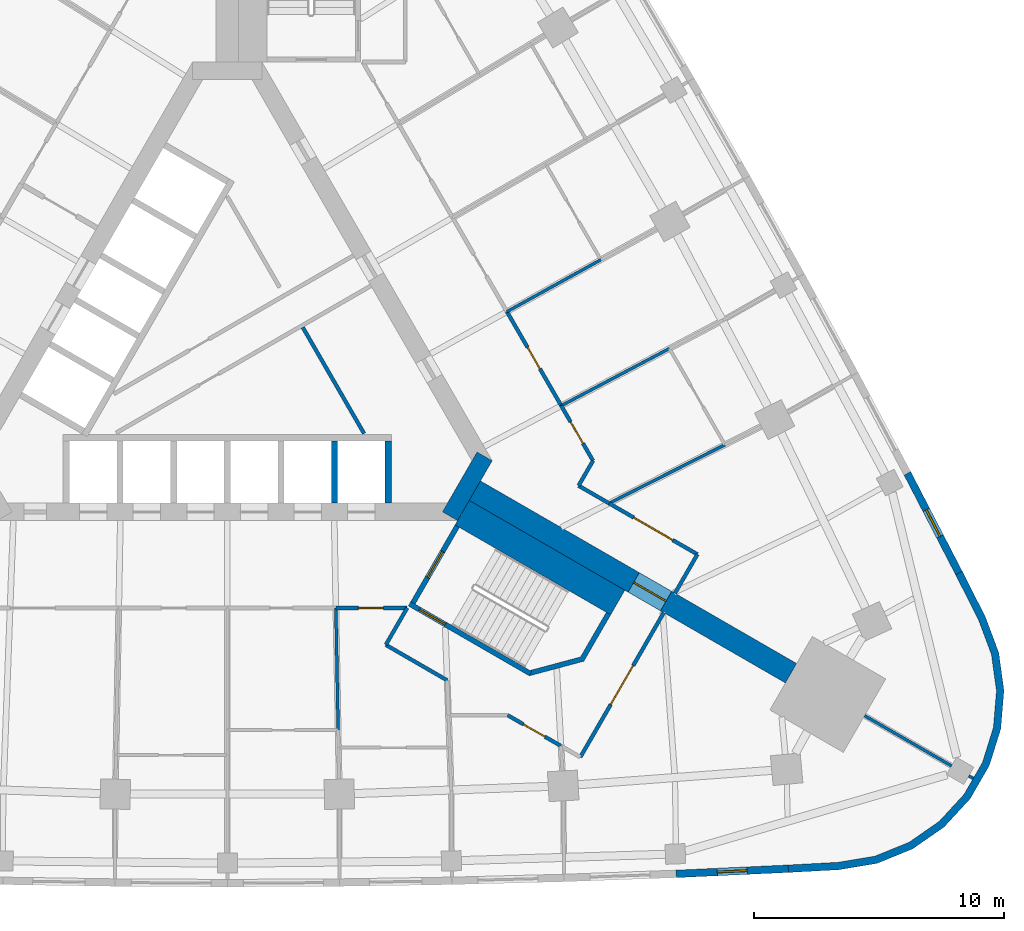
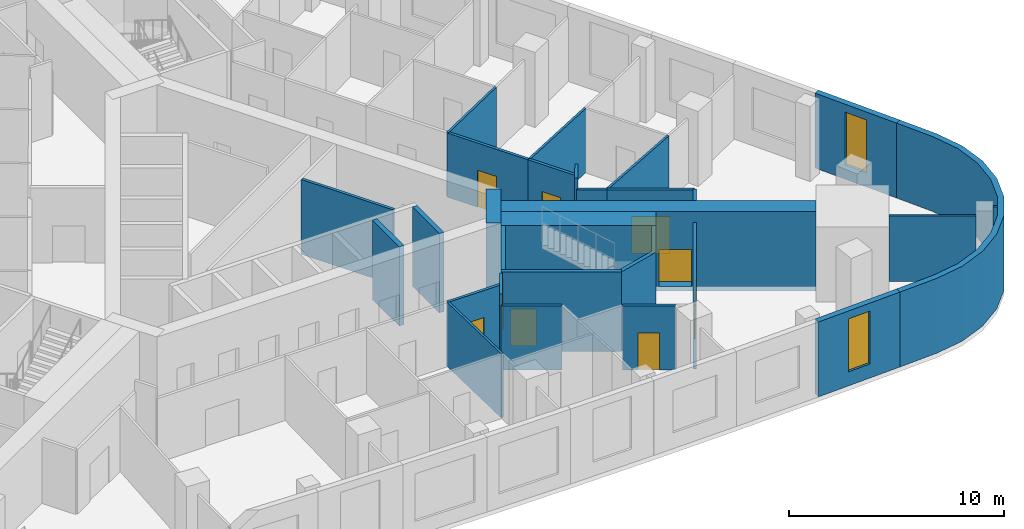
# One storey, part 7 of 11: 29 walls, 9 doors, 2 windows, 11 openings.
"""IFC4 building model written with IfcOpenShell, lengths in metres."""

from ifc_helpers import new_model, si_unit, direction, frame, frame_2d, origin, place, context, subcontext, project, spatial, polyline, rectangle, outline, extrude, material, layer, layer_set, type_object, element, fill, save


model = new_model("IFC4")

# Units and contexts
model_context = context("Model", 3, precision=1e-05, world=origin(), true_north=direction((0.0, 1.0)))
body_context = subcontext(model_context, "Body", "Model", "MODEL_VIEW")
ifc_project = project(units=[si_unit("LENGTHUNIT", "METRE"), si_unit("AREAUNIT", "SQUARE_METRE"), si_unit("VOLUMEUNIT", "CUBIC_METRE"), si_unit("PLANEANGLEUNIT", "RADIAN"), si_unit("MASSUNIT", "GRAM", prefix="KILO")], contexts=[model_context])

# Site, building, storey
site_placement = place(None, origin())
site = spatial("IfcSite", under=ifc_project, at=site_placement, CompositionType="ELEMENT")
building_placement = place(site_placement, origin())
building = spatial("IfcBuilding", under=site, at=building_placement, Name="Noor Cloister Tower", CompositionType="ELEMENT")
storey_placement = place(building_placement, frame((0.0, 0.0, 10.5)))
storey = spatial("IfcBuildingStorey", under=building, at=storey_placement, Name="L02", CompositionType="ELEMENT", Elevation=10.5)

# Wall, opening, door
ifc_material_1 = material(Name="Concrete C80/95", Category="concrete")
ifc_layer_1 = layer(ifc_material_1, 0.89990234375)
ifc_layer_set_1 = layer_set([ifc_layer_1], Name="Buttress wall 900 C80/95")
wall_type_1 = type_object("IfcWallType", Name="Buttress wall 900 C80/95", PredefinedType="SHEAR", material=ifc_layer_set_1)
wall_1_placement = place(storey_placement, frame((9.921630859375, -5.728271484375, -0.25), z_axis=(0.0, 0.0, 1.0), x_axis=(0.866028046028, -0.499995423472, 0.0)))
wall_1 = element("IfcWall", 1, at=wall_1_placement, inside=storey, type_object=wall_type_1, Name="Buttress wall SE L02", PredefinedType="SHEAR", context=body_context, shape_type="SweptSolid", body=[
    extrude(rectangle(XDim=14.632568359375, YDim=0.89990234375, at=frame_2d((7.31640625, 0.0))), origin(), (0.0, 0.0, 1.0), 4.5),
])
opening_1_placement = place(wall_1_placement, frame((7.35009765625, 0.0, 0.25)))
opening_1 = element("IfcOpeningElement", 2, at=opening_1_placement, cuts=wall_1, Name="Opening L02-037", PredefinedType="OPENING", context=body_context, shape_type="SweptSolid", body=[
    extrude(rectangle(XDim=1.5, YDim=2.10009765625, at=frame_2d((0.75, 1.050048828125))), frame((0.0, 0.4599609375, 0.0), z_axis=(0.0, -1.0, 0.0), x_axis=(1.0, 0.0, 0.0)), (0.0, 0.0, 1.0), 0.919921875),
])
ifc_material_2 = material(Name="Steel fire door", Category="steel")
door_type_1 = type_object("IfcDoorType", Name="Smoke barrier door FD60 1500", OperationType="DOUBLE_DOOR_SINGLE_SWING", PredefinedType="DOOR", material=ifc_material_2)
door_1_placement = place(opening_1_placement, origin())
door_1 = element("IfcDoor", 3, at=door_1_placement, inside=storey, type_object=door_type_1, Name="Door L02-037", OperationType="DOUBLE_DOOR_SINGLE_SWING", OverallHeight=2.10009765625, OverallWidth=1.5, PredefinedType="DOOR", context=body_context, shape_type="SweptSolid", body=[
    extrude(rectangle(XDim=1.5, YDim=2.10009765625, at=frame_2d((0.75, 1.050048828125))), frame((0.0, 0.02490234375, 0.0), z_axis=(0.0, -1.0, 0.0), x_axis=(1.0, 0.0, 0.0)), (0.0, 0.0, 1.0), 0.050048828125),
])
fill(opening_1, door_1)

# Walls
ifc_material_3 = material(Name="Concrete C30/37", Category="concrete")
ifc_layer_2 = layer(ifc_material_3, 0.14990234375)
ifc_layer_set_2 = layer_set([ifc_layer_2], Name="Core partition 150 C30/37")
wall_type_2 = type_object("IfcWallType", Name="Core partition 150 C30/37", PredefinedType="PARTITIONING", material=ifc_layer_set_2)
wall_2_placement = place(storey_placement, frame((5.482421875, -3.439208984375, 0.0), z_axis=(0.0, 0.0, 1.0), x_axis=(-0.500006183238, 0.866021833861, 0.0)))
element("IfcWall", 4, at=wall_2_placement, inside=storey, type_object=wall_type_2, Name="Core room partition L02 4", PredefinedType="PARTITIONING", context=body_context, shape_type="SweptSolid", body=[
    extrude(rectangle(XDim=4.916015625, YDim=0.14990234375, at=frame_2d((2.4580078125, 0.0))), origin(), (0.0, 0.0, 1.0), 4.25),
])
ifc_material_4 = material(Name="Concrete C80/95", Category="concrete")
ifc_layer_3 = layer(ifc_material_4, 0.699951171875)
ifc_layer_set_3 = layer_set([ifc_layer_3], Name="Core wall 700 C80/95")
wall_type_3 = type_object("IfcWallType", Name="Core wall 700 C80/95", PredefinedType="SHEAR", material=ifc_layer_set_3)
wall_3_placement = place(storey_placement, frame((8.925537109375, -6.753173828125, -0.25), z_axis=(0.0, 0.0, 1.0), x_axis=(0.500042739161, 0.866000726912, 0.0)))
element("IfcWall", 5, at=wall_3_placement, inside=storey, type_object=wall_type_3, Name="Core wall L02 2", PredefinedType="SHEAR", context=body_context, shape_type="SweptSolid", body=[
    extrude(rectangle(XDim=2.771240234375, YDim=0.699951171875, at=frame_2d((1.3857421875, 0.0))), origin(), (0.0, 0.0, 1.0), 4.5),
])

# Wall, opening, door
ifc_material_5 = material(Name="Plasterboard on steel studs", Category="steel")
ifc_layer_4 = layer(ifc_material_5, 0.14990234375)
ifc_layer_set_4 = layer_set([ifc_layer_4], Name="Corridor wall 150")
wall_type_4 = type_object("IfcWallType", Name="Corridor wall 150", PredefinedType="PARTITIONING", material=ifc_layer_set_4)
wall_4_placement = place(storey_placement, frame((13.376953125, -15.9619140625, 0.0), z_axis=(0.0, 0.0, 1.0), x_axis=(-0.866302389159, 0.499519940081, 0.0)))
wall_4 = element("IfcWall", 6, at=wall_4_placement, inside=storey, type_object=wall_type_4, Name="Partition", PredefinedType="PARTITIONING", context=body_context, shape_type="SweptSolid", body=[
    extrude(rectangle(XDim=2.47021484375, YDim=0.14990234375, at=frame_2d((1.235107421875, 0.0))), origin(), (0.0, 0.0, 1.0), 3.637939453125),
])
opening_2_placement = place(wall_4_placement, frame((0.75, 0.0, 0.0)))
opening_2 = element("IfcOpeningElement", 7, at=opening_2_placement, cuts=wall_4, Name="Opening L02-003", PredefinedType="OPENING", context=body_context, shape_type="SweptSolid", body=[
    extrude(rectangle(XDim=1.0, YDim=2.10009765625, at=frame_2d((0.5, 1.050048828125))), frame((0.0, 0.0849609375, 0.0), z_axis=(0.0, -1.0, 0.0), x_axis=(1.0, 0.0, 0.0)), (0.0, 0.0, 1.0), 0.169921875),
])
ifc_material_6 = material(Name="Timber door leaf", Category="wood")
door_type_2 = type_object("IfcDoorType", Name="Clinic room door 1000", OperationType="SINGLE_SWING_LEFT", PredefinedType="DOOR", material=ifc_material_6)
door_2_placement = place(opening_2_placement, origin())
door_2 = element("IfcDoor", 8, at=door_2_placement, inside=storey, type_object=door_type_2, Name="Door L02-003", OperationType="SINGLE_SWING_RIGHT", OverallHeight=2.10009765625, OverallWidth=1.0, PredefinedType="DOOR", context=body_context, shape_type="SweptSolid", body=[
    extrude(rectangle(XDim=1.0, YDim=2.10009765625, at=frame_2d((0.5, 1.050048828125))), frame((0.0, 0.02490234375, 0.0), z_axis=(0.0, -1.0, 0.0), x_axis=(1.0, 0.0, 0.0)), (0.0, 0.0, 1.0), 0.050048828125),
])
fill(opening_2, door_2)

wall_5_placement = place(storey_placement, frame((11.205078125, 1.449951171875, 0.0), z_axis=(0.0, 0.0, 1.0), x_axis=(0.500058412813, -0.865991676505, 0.0)))
wall_5 = element("IfcWall", 9, at=wall_5_placement, inside=storey, type_object=wall_type_4, Name="Partition", PredefinedType="PARTITIONING", context=body_context, shape_type="SweptSolid", body=[
    extrude(rectangle(XDim=4.361328125, YDim=0.14990234375, at=frame_2d((2.1806640625, 0.0))), origin(), (0.0, 0.0, 1.0), 3.637939453125),
])
opening_3_placement = place(wall_5_placement, frame((1.64990234375, 0.0, 0.0)))
opening_3 = element("IfcOpeningElement", 10, at=opening_3_placement, cuts=wall_5, Name="Opening L02-016", PredefinedType="OPENING", context=body_context, shape_type="SweptSolid", body=[
    extrude(rectangle(XDim=1.0, YDim=2.10009765625, at=frame_2d((0.5, 1.050048828125))), frame((0.0, 0.0849609375, 0.0), z_axis=(0.0, -1.0, 0.0), x_axis=(1.0, 0.0, 0.0)), (0.0, 0.0, 1.0), 0.169921875),
])
door_3_placement = place(opening_3_placement, origin())
door_3 = element("IfcDoor", 11, at=door_3_placement, inside=storey, type_object=door_type_2, Name="Door L02-016", OperationType="SINGLE_SWING_LEFT", OverallHeight=2.10009765625, OverallWidth=1.0, PredefinedType="DOOR", context=body_context, shape_type="SweptSolid", body=[
    extrude(rectangle(XDim=1.0, YDim=2.10009765625, at=frame_2d((0.5, 1.050048828125))), frame((0.0, 0.02490234375, 0.0), z_axis=(0.0, -1.0, 0.0), x_axis=(1.0, 0.0, 0.0)), (0.0, 0.0, 1.0), 0.050048828125),
])
fill(opening_3, door_3)

ifc_material_7 = material(Name="Plasterboard on steel studs", Category="steel")
ifc_layer_5 = layer(ifc_material_7, 0.14990234375)
ifc_layer_set_5 = layer_set([ifc_layer_5], Name="Corridor wall 150 EI 60")
wall_type_5 = type_object("IfcWallType", Name="Corridor wall 150 EI 60", PredefinedType="PARTITIONING", material=ifc_layer_set_5)
wall_6_placement = place(storey_placement, frame((17.490966796875, -10.617919921875, 0.0), z_axis=(0.0, 0.0, 1.0), x_axis=(-0.499969057507, -0.866043267704, 0.0)))
wall_6 = element("IfcWall", 12, at=wall_6_placement, inside=storey, type_object=wall_type_5, Name="Partition", PredefinedType="PARTITIONING", context=body_context, shape_type="SweptSolid", body=[
    extrude(rectangle(XDim=6.6845703125, YDim=0.14990234375, at=frame_2d((3.34228515625, 0.0))), origin(), (0.0, 0.0, 1.0), 3.637939453125),
])
opening_4_placement = place(wall_6_placement, frame((2.449951171875, 0.0, 0.0)))
opening_4 = element("IfcOpeningElement", 13, at=opening_4_placement, cuts=wall_6, Name="Opening L02-006", PredefinedType="OPENING", context=body_context, shape_type="SweptSolid", body=[
    extrude(rectangle(XDim=1.800048828125, YDim=2.10009765625, at=frame_2d((0.89990234375, 1.050048828125))), frame((0.0, 0.0849609375, 0.0), z_axis=(0.0, -1.0, 0.0), x_axis=(1.0, 0.0, 0.0)), (0.0, 0.0, 1.0), 0.169921875),
])
ifc_material_8 = material(Name="Timber door leaf", Category="wood")
door_type_3 = type_object("IfcDoorType", Name="Double leaf door 1800 FD60", OperationType="DOUBLE_DOOR_SINGLE_SWING", PredefinedType="DOOR", material=ifc_material_8)
door_4_placement = place(opening_4_placement, origin())
door_4 = element("IfcDoor", 14, at=door_4_placement, inside=storey, type_object=door_type_3, Name="Door L02-006", OperationType="DOUBLE_DOOR_SINGLE_SWING", OverallHeight=2.10009765625, OverallWidth=1.800048828125, PredefinedType="DOOR", context=body_context, shape_type="SweptSolid", body=[
    extrude(rectangle(XDim=1.800048828125, YDim=2.10009765625, at=frame_2d((0.89990234375, 1.050048828125))), frame((0.0, 0.02490234375, 0.0), z_axis=(0.0, -1.0, 0.0), x_axis=(1.0, 0.0, 0.0)), (0.0, 0.0, 1.0), 0.050048828125),
])
fill(opening_4, door_4)

# Walls
wall_7_placement = place(storey_placement, frame((8.81298828125, -13.3291015625, 0.0), z_axis=(0.0, 0.0, 1.0), x_axis=(-0.865804661524, 0.50038214205, 0.0)))
element("IfcWall", 15, at=wall_7_placement, inside=storey, type_object=wall_type_5, Name="Partition", PredefinedType="PARTITIONING", context=body_context, shape_type="SweptSolid", body=[
    extrude(rectangle(XDim=2.840087890625, YDim=0.14990234375, at=frame_2d((1.419921875, 0.0))), origin(), (0.0, 0.0, 1.0), 3.637939453125),
])
wall_8_placement = place(storey_placement, frame((6.35400390625, -11.906005859375, 0.0), z_axis=(0.0, 0.0, 1.0), x_axis=(0.500291894738, 0.865856812677, 0.0)))
element("IfcWall", 16, at=wall_8_placement, inside=storey, type_object=wall_type_5, Name="Partition", PredefinedType="PARTITIONING", context=body_context, shape_type="SweptSolid", body=[
    extrude(rectangle(XDim=1.70703125, YDim=0.14990234375, at=frame_2d((0.853515625, 0.0))), origin(), (0.0, 0.0, 1.0), 4.25),
])

# Wall, opening, door
wall_9_placement = place(storey_placement, frame((7.2080078125, -10.427978515625, 0.0), z_axis=(0.0, 0.0, 1.0), x_axis=(-1.0, 0.0, 0.0)))
wall_9 = element("IfcWall", 17, at=wall_9_placement, inside=storey, type_object=wall_type_5, Name="Partition", PredefinedType="PARTITIONING", context=body_context, shape_type="SweptSolid", body=[
    extrude(rectangle(XDim=2.861083984375, YDim=0.14990234375, at=frame_2d((1.4306640625, 0.0))), origin(), (0.0, 0.0, 1.0), 3.637939453125),
])
opening_5_placement = place(wall_9_placement, frame((0.949951171875, 0.0, 0.0)))
opening_5 = element("IfcOpeningElement", 18, at=opening_5_placement, cuts=wall_9, Name="Opening L02-010", PredefinedType="OPENING", context=body_context, shape_type="SweptSolid", body=[
    extrude(rectangle(XDim=1.0, YDim=2.10009765625, at=frame_2d((0.5, 1.050048828125))), frame((0.0, 0.0849609375, 0.0), z_axis=(0.0, -1.0, 0.0), x_axis=(1.0, 0.0, 0.0)), (0.0, 0.0, 1.0), 0.169921875),
])
ifc_material_9 = material(Name="Timber door leaf", Category="wood")
door_type_4 = type_object("IfcDoorType", Name="Clinic room door 1000 FD60", OperationType="SINGLE_SWING_LEFT", PredefinedType="DOOR", material=ifc_material_9)
door_5_placement = place(opening_5_placement, origin())
door_5 = element("IfcDoor", 19, at=door_5_placement, inside=storey, type_object=door_type_4, Name="Door L02-010", OperationType="SINGLE_SWING_RIGHT", OverallHeight=2.10009765625, OverallWidth=1.0, PredefinedType="DOOR", context=body_context, shape_type="SweptSolid", body=[
    extrude(rectangle(XDim=1.0, YDim=2.10009765625, at=frame_2d((0.5, 1.050048828125))), frame((0.0, 0.02490234375, 0.0), z_axis=(0.0, -1.0, 0.0), x_axis=(1.0, 0.0, 0.0)), (0.0, 0.0, 1.0), 0.050048828125),
])
fill(opening_5, door_5)

wall_10_placement = place(storey_placement, frame((15.294921875, -6.23193359375, 0.0), z_axis=(0.0, 0.0, 1.0), x_axis=(0.865991915229, -0.500057999394, 0.0)))
wall_10 = element("IfcWall", 20, at=wall_10_placement, inside=storey, type_object=wall_type_5, Name="Partition", PredefinedType="PARTITIONING", context=body_context, shape_type="SweptSolid", body=[
    extrude(rectangle(XDim=4.09375, YDim=0.14990234375, at=frame_2d((2.046875, 0.0))), origin(), (0.0, 0.0, 1.0), 3.637939453125),
])
opening_6_placement = place(wall_10_placement, frame((1.14990234375, 0.0, 0.0)))
opening_6 = element("IfcOpeningElement", 21, at=opening_6_placement, cuts=wall_10, Name="Opening L02-012", PredefinedType="OPENING", context=body_context, shape_type="SweptSolid", body=[
    extrude(rectangle(XDim=1.800048828125, YDim=2.10009765625, at=frame_2d((0.89990234375, 1.050048828125))), frame((0.0, 0.0849609375, 0.0), z_axis=(0.0, -1.0, 0.0), x_axis=(1.0, 0.0, 0.0)), (0.0, 0.0, 1.0), 0.169921875),
])
door_6_placement = place(opening_6_placement, origin())
door_6 = element("IfcDoor", 22, at=door_6_placement, inside=storey, type_object=door_type_3, Name="Door L02-012", OperationType="DOUBLE_DOOR_SINGLE_SWING", OverallHeight=2.10009765625, OverallWidth=1.800048828125, PredefinedType="DOOR", context=body_context, shape_type="SweptSolid", body=[
    extrude(rectangle(XDim=1.800048828125, YDim=2.10009765625, at=frame_2d((0.89990234375, 1.050048828125))), frame((0.0, 0.02490234375, 0.0), z_axis=(0.0, -1.0, 0.0), x_axis=(1.0, 0.0, 0.0)), (0.0, 0.0, 1.0), 0.050048828125),
])
fill(opening_6, door_6)

# Wall
wall_11_placement = place(storey_placement, frame((18.840087890625, -8.281005859375, 0.0), z_axis=(0.0, 0.0, 1.0), x_axis=(-0.500126010714, -0.86595263924, 0.0)))
element("IfcWall", 23, at=wall_11_placement, inside=storey, type_object=wall_type_5, Name="Partition", PredefinedType="PARTITIONING", context=body_context, shape_type="SweptSolid", body=[
    extrude(rectangle(XDim=1.7978515625, YDim=0.14990234375, at=frame_2d((0.89892578125, 0.0))), origin(), (0.0, 0.0, 1.0), 3.637939453125),
])

# Wall, opening, door
wall_12_placement = place(storey_placement, frame((13.382080078125, -2.321044921875, 0.0), z_axis=(0.0, 0.0, 1.0), x_axis=(0.500076401611, -0.8659812888, 0.0)))
wall_12 = element("IfcWall", 24, at=wall_12_placement, inside=storey, type_object=wall_type_5, Name="Partition", PredefinedType="PARTITIONING", context=body_context, shape_type="SweptSolid", body=[
    extrude(rectangle(XDim=2.54736328125, YDim=0.14990234375, at=frame_2d((1.273681640625, 0.0))), origin(), (0.0, 0.0, 1.0), 3.637939453125),
])
opening_7_placement = place(wall_12_placement, frame((0.75, 0.0, 0.0)))
opening_7 = element("IfcOpeningElement", 25, at=opening_7_placement, cuts=wall_12, Name="Opening L02-013", PredefinedType="OPENING", context=body_context, shape_type="SweptSolid", body=[
    extrude(rectangle(XDim=1.0, YDim=2.10009765625, at=frame_2d((0.5, 1.050048828125))), frame((0.0, 0.0849609375, 0.0), z_axis=(0.0, -1.0, 0.0), x_axis=(1.0, 0.0, 0.0)), (0.0, 0.0, 1.0), 0.169921875),
])
door_7_placement = place(opening_7_placement, origin())
door_7 = element("IfcDoor", 26, at=door_7_placement, inside=storey, type_object=door_type_4, Name="Door L02-013", OperationType="SINGLE_SWING_LEFT", OverallHeight=2.10009765625, OverallWidth=1.0, PredefinedType="DOOR", context=body_context, shape_type="SweptSolid", body=[
    extrude(rectangle(XDim=1.0, YDim=2.10009765625, at=frame_2d((0.5, 1.050048828125))), frame((0.0, 0.02490234375, 0.0), z_axis=(0.0, -1.0, 0.0), x_axis=(1.0, 0.0, 0.0)), (0.0, 0.0, 1.0), 0.050048828125),
])
fill(opening_7, door_7)

# Walls
wall_13_placement = place(storey_placement, frame((14.656005859375, -4.529052734375, 0.0), z_axis=(0.0, 0.0, 1.0), x_axis=(-0.500502949238, -0.865734831114, 0.0)))
element("IfcWall", 27, at=wall_13_placement, inside=storey, type_object=wall_type_5, Name="Partition", PredefinedType="PARTITIONING", context=body_context, shape_type="SweptSolid", body=[
    extrude(rectangle(XDim=1.155029296875, YDim=0.14990234375, at=frame_2d((0.57763671875, 0.0))), origin(), (0.0, 0.0, 1.0), 4.25),
])
wall_14_placement = place(storey_placement, frame((14.077880859375, -5.529052734375, 0.0), z_axis=(0.0, 0.0, 1.0), x_axis=(0.865984561414, -0.500070734389, 0.0)))
element("IfcWall", 28, at=wall_14_placement, inside=storey, type_object=wall_type_5, Name="Partition", PredefinedType="PARTITIONING", context=body_context, shape_type="SweptSolid", body=[
    extrude(rectangle(XDim=1.415771484375, YDim=0.14990234375, at=frame_2d((0.7080078125, 0.0))), origin(), (0.0, 0.0, 1.0), 3.637939453125),
])
ifc_material_10 = material(Name="Limestone", Category="masonry")
ifc_layer_6 = layer(ifc_material_10, 0.300048828125)
ifc_layer_set_6 = layer_set([ifc_layer_6], Name="Limestone cladding 300")
wall_type_6 = type_object("IfcWallType", Name="Limestone cladding 300", PredefinedType="NOTDEFINED", material=ifc_layer_set_6)
wall_15_placement = place(storey_placement, origin())
element("IfcWall", 29, at=wall_15_placement, inside=storey, type_object=wall_type_6, Name="Limestone pier cladding L02 2.1", PredefinedType="NOTDEFINED", context=body_context, shape_type="SweptSolid", body=[
    extrude(outline(polyline([(22.490234375, -21.02978515625), (24.52197265625, -20.920654296875), (26.03955078125, -20.666259765625), (27.46484375, -20.086181640625), (28.72900390625, -19.208984375), (29.77099609375, -18.07666015625), (30.540283203125, -16.744140625), (31.0, -15.275634765625), (31.127685546875, -13.7421875), (30.917236328125, -12.2177734375), (30.378662109375, -10.7763671875), (29.457275390625, -8.962158203125), (29.18994140625, -9.097900390625), (30.103515625, -10.89697265625), (30.62451171875, -12.291748046875), (30.825927734375, -13.750244140625), (30.70361328125, -15.217529296875), (30.263916015625, -16.622802734375), (29.52783203125, -17.89794921875), (28.53076171875, -18.9814453125), (27.321044921875, -19.82080078125), (25.95703125, -20.375732421875), (24.489013671875, -20.621826171875), (22.47412109375, -20.730224609375), (22.490234375, -21.02978515625)])), origin(), (0.0, 0.0, 1.0), 4.25),
])

# Wall, opening, window
ifc_material_11 = material(Name="Limestone", Category="masonry")
ifc_layer_7 = layer(ifc_material_11, 0.300048828125)
ifc_layer_set_7 = layer_set([ifc_layer_7], Name="Limestone panel wall 300")
wall_type_7 = type_object("IfcWallType", Name="Limestone panel wall 300", PredefinedType="NOTDEFINED", material=ifc_layer_set_7)
wall_16_placement = place(storey_placement, frame((22.481201171875, -20.8798828125, 0.0), z_axis=(0.0, 0.0, 1.0), x_axis=(-0.998931717866, -0.046210637742, 0.0)))
wall_16 = element("IfcWall", 30, at=wall_16_placement, inside=storey, type_object=wall_type_7, Name="Limestone wall L02 S 10", PredefinedType="NOTDEFINED", context=body_context, shape_type="SweptSolid", body=[
    extrude(rectangle(XDim=4.49609375, YDim=0.300048828125, at=frame_2d((2.248046875, 0.0))), origin(), (0.0, 0.0, 1.0), 4.25),
])
opening_8_placement = place(wall_16_placement, frame((1.64794921875, 0.0, 0.800048828125)))
opening_8 = element("IfcOpeningElement", 31, at=opening_8_placement, cuts=wall_16, Name="Opening L02-W20", PredefinedType="OPENING", context=body_context, shape_type="SweptSolid", body=[
    extrude(rectangle(XDim=1.199951171875, YDim=3.0, at=frame_2d((0.60009765625, 1.5))), frame((0.0, 0.16015625, 0.0), z_axis=(0.0, -1.0, 0.0), x_axis=(1.0, 0.0, 0.0)), (0.0, 0.0, 1.0), 0.320068359375),
])
ifc_material_12 = material(Name="Aluminium 6063-T6 anodised", Category="aluminium")
window_type = type_object("IfcWindowType", Name="Lancet window 1200 x 3000", PartitioningType="SINGLE_PANEL", PredefinedType="WINDOW", material=ifc_material_12)
window_1_placement = place(opening_8_placement, origin())
window_1 = element("IfcWindow", 32, at=window_1_placement, inside=storey, type_object=window_type, Name="Window L02 20", OverallHeight=3.0, OverallWidth=1.199951171875, PartitioningType="SINGLE_PANEL", PredefinedType="WINDOW", context=body_context, shape_type="SweptSolid", body=[
    extrude(rectangle(XDim=1.199951171875, YDim=3.0, at=frame_2d((0.60009765625, 1.5))), frame((0.0, 0.030029296875, 0.0), z_axis=(0.0, -1.0, 0.0), x_axis=(1.0, 0.0, 0.0)), (0.0, 0.0, 1.0), 0.06005859375),
])
fill(opening_8, window_1)

wall_17_placement = place(storey_placement, frame((27.257568359375, -5.035888671875, 0.0), z_axis=(0.0, 0.0, 1.0), x_axis=(0.459443600121, -0.888206945654, 0.0)))
wall_17 = element("IfcWall", 33, at=wall_17_placement, inside=storey, type_object=wall_type_7, Name="Limestone wall L02 NE 1", PredefinedType="NOTDEFINED", context=body_context, shape_type="SweptSolid", body=[
    extrude(rectangle(XDim=4.49609375, YDim=0.300048828125, at=frame_2d((2.248046875, 0.0))), origin(), (0.0, 0.0, 1.0), 4.25),
])
opening_9_placement = place(wall_17_placement, frame((1.64794921875, 0.0, 0.800048828125)))
opening_9 = element("IfcOpeningElement", 34, at=opening_9_placement, cuts=wall_17, Name="Opening L02-W21", PredefinedType="OPENING", context=body_context, shape_type="SweptSolid", body=[
    extrude(rectangle(XDim=1.199951171875, YDim=3.0, at=frame_2d((0.60009765625, 1.5))), frame((0.0, 0.16015625, 0.0), z_axis=(0.0, -1.0, 0.0), x_axis=(1.0, 0.0, 0.0)), (0.0, 0.0, 1.0), 0.320068359375),
])
window_2_placement = place(opening_9_placement, origin())
window_2 = element("IfcWindow", 35, at=window_2_placement, inside=storey, type_object=window_type, Name="Window L02 21", OverallHeight=3.0, OverallWidth=1.199951171875, PartitioningType="SINGLE_PANEL", PredefinedType="WINDOW", context=body_context, shape_type="SweptSolid", body=[
    extrude(rectangle(XDim=1.199951171875, YDim=3.0, at=frame_2d((0.60009765625, 1.5))), frame((0.0, 0.030029296875, 0.0), z_axis=(0.0, -1.0, 0.0), x_axis=(1.0, 0.0, 0.0)), (0.0, 0.0, 1.0), 0.06005859375),
])
fill(opening_9, window_2)

# Walls
ifc_material_13 = material(Name="Plasterboard on steel studs", Category="steel")
ifc_layer_8 = layer(ifc_material_13, 0.1201171875)
ifc_layer_set_8 = layer_set([ifc_layer_8], Name="Partition wall 120")
wall_type_8 = type_object("IfcWallType", Name="Partition wall 120", PredefinedType="PARTITIONING", material=ifc_layer_set_8)
wall_18_placement = place(storey_placement, frame((14.969970703125, 3.52587890625, 0.0), z_axis=(0.0, 0.0, 1.0), x_axis=(-0.875157368867, -0.483838381815, 0.0)))
element("IfcWall", 36, at=wall_18_placement, inside=storey, type_object=wall_type_8, Name="Partition", PredefinedType="PARTITIONING", context=body_context, shape_type="SweptSolid", body=[
    extrude(rectangle(XDim=4.298583984375, YDim=0.1201171875, at=frame_2d((2.1494140625, 0.0))), origin(), (0.0, 0.0, 1.0), 3.637939453125),
])
ifc_material_14 = material(Name="Plasterboard on steel studs", Category="steel")
ifc_layer_9 = layer(ifc_material_14, 0.1201171875)
ifc_layer_set_9 = layer_set([ifc_layer_9], Name="Partition wall 120 EI 60")
wall_type_9 = type_object("IfcWallType", Name="Partition wall 120 EI 60", PredefinedType="PARTITIONING", material=ifc_layer_set_9)
wall_19_placement = place(storey_placement, frame((29.02294921875, -16.757080078125, 0.0), z_axis=(0.0, 0.0, 1.0), x_axis=(-0.866027971625, 0.499995552344, 0.0)))
element("IfcWall", 37, at=wall_19_placement, inside=storey, type_object=wall_type_9, Name="Partition", PredefinedType="PARTITIONING", context=body_context, shape_type="SweptSolid", body=[
    extrude(rectangle(XDim=4.02392578125, YDim=0.1201171875, at=frame_2d((2.011962890625, 0.0))), origin(), (0.0, 0.0, 1.0), 3.717041015625),
])
wall_20_placement = place(storey_placement, frame((29.89599609375, -17.260986328125, 0.0), z_axis=(0.0, 0.0, 1.0), x_axis=(-0.865774595023, 0.500434162116, 0.0)))
element("IfcWall", 38, at=wall_20_placement, inside=storey, type_object=wall_type_9, Name="Partition", PredefinedType="PARTITIONING", context=body_context, shape_type="SweptSolid", body=[
    extrude(rectangle(XDim=0.207763671875, YDim=0.1201171875, at=frame_2d((0.10400390625, 0.0))), origin(), (0.0, 0.0, 1.0), 4.25),
])
wall_21_placement = place(storey_placement, frame((4.44189453125, -15.33203125, 0.0), z_axis=(0.0, 0.0, 1.0), x_axis=(-0.018519952131, 0.999828490979, 0.0)))
element("IfcWall", 39, at=wall_21_placement, inside=storey, type_object=wall_type_9, Name="Partition", PredefinedType="PARTITIONING", context=body_context, shape_type="SweptSolid", body=[
    extrude(rectangle(XDim=4.90380859375, YDim=0.1201171875, at=frame_2d((2.451904296875, 0.0))), origin(), (0.0, 0.0, 1.0), 3.637939453125),
])
wall_22_placement = place(storey_placement, frame((19.94189453125, -3.887939453125, 0.0), z_axis=(0.0, 0.0, 1.0), x_axis=(-0.89239982182, -0.451245562877, 0.0)))
element("IfcWall", 40, at=wall_22_placement, inside=storey, type_object=wall_type_9, Name="Partition", PredefinedType="PARTITIONING", context=body_context, shape_type="SweptSolid", body=[
    extrude(rectangle(XDim=5.201416015625, YDim=0.1201171875, at=frame_2d((2.6005859375, 0.0))), origin(), (0.0, 0.0, 1.0), 3.637939453125),
])
wall_23_placement = place(storey_placement, frame((17.718994140625, -0.031982421875, 0.0), z_axis=(0.0, 0.0, 1.0), x_axis=(-0.884039689759, -0.467411838672, 0.0)))
element("IfcWall", 41, at=wall_23_placement, inside=storey, type_object=wall_type_9, Name="Partition", PredefinedType="PARTITIONING", context=body_context, shape_type="SweptSolid", body=[
    extrude(rectangle(XDim=4.903564453125, YDim=0.1201171875, at=frame_2d((2.45166015625, 0.0))), origin(), (0.0, 0.0, 1.0), 3.637939453125),
])
ifc_material_15 = material(Name="Concrete C80/95", Category="concrete")
ifc_layer_10 = layer(ifc_material_15, 0.25)
ifc_layer_set_10 = layer_set([ifc_layer_10], Name="Shaft wall 250 C80/95")
wall_type_10 = type_object("IfcWallType", Name="Shaft wall 250 C80/95", PredefinedType="PARTITIONING", material=ifc_layer_set_10)
for number, where, z_axis, x_axis, name in (
    (42, (4.300048828125, -6.228271484375, -0.25), (0.0, 0.0, 1.0), (0.0, 1.0, 0.0), "Lift shaft wall L02 S 6"),
    (43, (6.449951171875, -6.228271484375, -0.25), (0.0, 0.0, 1.0), (0.0, 1.0, 0.0), "Lift shaft wall L02 S 7"),
):
    element("IfcWall", number, at=place(storey_placement, frame(where, z_axis=z_axis, x_axis=x_axis)), inside=storey, type_object=wall_type_10, Name=name, PredefinedType="PARTITIONING", context=body_context, shape_type="SweptSolid", body=[
        extrude(rectangle(XDim=2.5, YDim=0.25, at=frame_2d((1.25, 0.0))), origin(), (0.0, 0.0, 1.0), 4.5),
    ])
ifc_material_16 = material(Name="Concrete C80/95", Category="concrete")
ifc_layer_11 = layer(ifc_material_16, 1.135986328125)
ifc_layer_set_11 = layer_set([ifc_layer_11], Name="Stair enclosure wall 1136 C80/95")
wall_type_11 = type_object("IfcWallType", Name="Stair enclosure wall 1136 C80/95", PredefinedType="SHEAR", material=ifc_layer_set_11)
wall_24_placement = place(storey_placement, frame((9.41259765625, -6.609619140625, -0.25), z_axis=(0.0, 0.0, 1.0), x_axis=(0.866018442252, -0.500012057535, 0.0)))
element("IfcWall", 44, at=wall_24_placement, inside=storey, type_object=wall_type_11, Name="Stair enclosure wall ST3 L02 riser side", PredefinedType="SHEAR", context=body_context, shape_type="SweptSolid", body=[
    extrude(rectangle(XDim=7.199951171875, YDim=1.1357421875, at=frame_2d((3.60009765625, 0.0))), origin(), (0.0, 0.0, 1.0), 4.5),
])

# Wall, opening, door
ifc_material_17 = material(Name="Concrete C80/95", Category="concrete")
ifc_layer_12 = layer(ifc_material_17, 0.199951171875)
ifc_layer_set_12 = layer_set([ifc_layer_12], Name="Stair enclosure wall 200 C80/95")
wall_type_12 = type_object("IfcWallType", Name="Stair enclosure wall 200 C80/95", PredefinedType="SHEAR", material=ifc_layer_set_12)
wall_25_placement = place(storey_placement, frame((7.440185546875, -10.225830078125, -0.25), z_axis=(0.0, 0.0, 1.0), x_axis=(0.500022077904, 0.866012656725, 0.0)))
wall_25 = element("IfcWall", 45, at=wall_25_placement, inside=storey, type_object=wall_type_12, Name="Stair enclosure wall ST3 L02 near end", PredefinedType="SHEAR", context=body_context, shape_type="SweptSolid", body=[
    extrude(rectangle(XDim=3.550048828125, YDim=0.199951171875, at=frame_2d((1.77490234375, 0.0))), origin(), (0.0, 0.0, 1.0), 4.5),
])
opening_10_placement = place(wall_25_placement, frame((1.175048828125, 0.0, 0.25)))
opening_10 = element("IfcOpeningElement", 46, at=opening_10_placement, cuts=wall_25, Name="Opening L02-ST3L", PredefinedType="OPENING", context=body_context, shape_type="SweptSolid", body=[
    extrude(rectangle(XDim=1.199951171875, YDim=2.10009765625, at=frame_2d((0.60009765625, 1.050048828125))), frame((0.0, 0.10986328125, 0.0), z_axis=(0.0, -1.0, 0.0), x_axis=(1.0, 0.0, 0.0)), (0.0, 0.0, 1.0), 0.219970703125),
])
ifc_material_18 = material(Name="Steel", Category="steel")
door_type_5 = type_object("IfcDoorType", Name="Stair door 1200 x 2100 FD120", OperationType="SINGLE_SWING_LEFT", PredefinedType="DOOR", material=ifc_material_18)
door_8_placement = place(opening_10_placement, origin())
door_8 = element("IfcDoor", 47, at=door_8_placement, inside=storey, type_object=door_type_5, Name="Stair door ST3 L02", OperationType="SINGLE_SWING_RIGHT", OverallHeight=2.10009765625, OverallWidth=1.199951171875, PredefinedType="DOOR", context=body_context, shape_type="SweptSolid", body=[
    extrude(rectangle(XDim=1.199951171875, YDim=2.10009765625, at=frame_2d((0.60009765625, 1.050048828125))), frame((0.0, 0.02490234375, 0.0), z_axis=(0.0, -1.0, 0.0), x_axis=(1.0, 0.0, 0.0)), (0.0, 0.0, 1.0), 0.050048828125),
])
fill(opening_10, door_8)

wall_26_placement = place(storey_placement, frame((7.3037109375, -10.262451171875, -0.25), z_axis=(0.0, 0.0, 1.0), x_axis=(0.866026594901, -0.49999793692, 0.0)))
wall_26 = element("IfcWall", 48, at=wall_26_placement, inside=storey, type_object=wall_type_12, Name="Stair enclosure wall ST3 L02 outer side", PredefinedType="SHEAR", context=body_context, shape_type="SweptSolid", body=[
    extrude(rectangle(XDim=5.60009765625, YDim=0.199951171875, at=frame_2d((2.800048828125, 0.0))), origin(), (0.0, 0.0, 1.0), 4.5),
])
opening_11_placement = place(wall_26_placement, frame((0.449951171875, 0.0, 0.25)))
opening_11 = element("IfcOpeningElement", 49, at=opening_11_placement, cuts=wall_26, Name="Opening L02-ST3C", PredefinedType="OPENING", context=body_context, shape_type="SweptSolid", body=[
    extrude(rectangle(XDim=1.199951171875, YDim=2.10009765625, at=frame_2d((0.60009765625, 1.050048828125))), frame((0.0, 0.10986328125, 0.0), z_axis=(0.0, -1.0, 0.0), x_axis=(1.0, 0.0, 0.0)), (0.0, 0.0, 1.0), 0.219970703125),
])
door_9_placement = place(opening_11_placement, origin())
door_9 = element("IfcDoor", 50, at=door_9_placement, inside=storey, type_object=door_type_5, Name="Stair door ST3 L02", OperationType="SINGLE_SWING_LEFT", OverallHeight=2.10009765625, OverallWidth=1.199951171875, PredefinedType="DOOR", context=body_context, shape_type="SweptSolid", body=[
    extrude(rectangle(XDim=1.199951171875, YDim=2.10009765625, at=frame_2d((0.60009765625, 1.050048828125))), frame((0.0, 0.02490234375, 0.0), z_axis=(0.0, -1.0, 0.0), x_axis=(1.0, 0.0, 0.0)), (0.0, 0.0, 1.0), 0.050048828125),
])
fill(opening_11, door_9)

# Wall
ifc_material_19 = material(Name="Concrete C80/95", Category="concrete")
wall_type_13 = type_object("IfcWallType", Name="Stair far end wall C80/95", PredefinedType="SHEAR", material=ifc_material_19)
wall_27_placement = place(storey_placement, frame((0.0, 0.0, -0.25)))
element("IfcWall", 51, at=wall_27_placement, inside=storey, type_object=wall_type_13, Name="Stair enclosure wall ST3 L02 far end", PredefinedType="SHEAR", context=body_context, shape_type="SweptSolid", body=[
    extrude(outline(polyline([(12.103515625, -13.14892578125), (14.2890625, -12.5634765625), (15.364013671875, -10.701416015625), (15.19091796875, -10.601318359375), (14.1572265625, -12.3916015625), (12.131591796875, -12.934326171875), (12.20361328125, -12.975830078125), (12.20361328125, -12.975830078125), (12.20361328125, -12.975830078125), (12.20361328125, -12.975830078125), (12.20361328125, -12.975830078125), (12.20361328125, -12.975830078125), (12.20361328125, -12.975830078125), (12.20361328125, -12.975830078125), (12.20361328125, -12.975830078125), (12.20361328125, -12.975830078125), (12.20361328125, -12.975830078125), (12.20361328125, -12.975830078125), (12.20361328125, -12.975830078125), (12.20361328125, -12.975830078125), (12.20361328125, -12.975830078125), (12.20361328125, -12.975830078125), (12.20361328125, -12.975830078125), (12.103515625, -13.14892578125)])), origin(), (0.0, 0.0, 1.0), 4.5),
])

save(model, "model.ifc")
